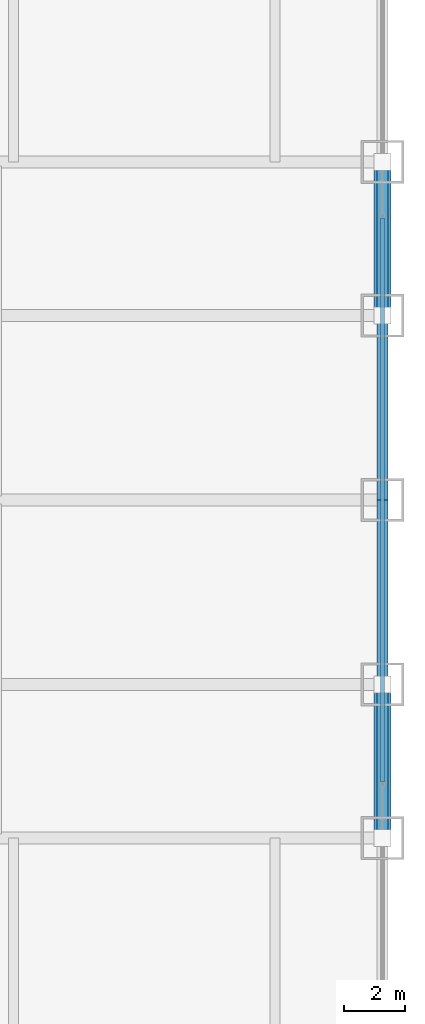
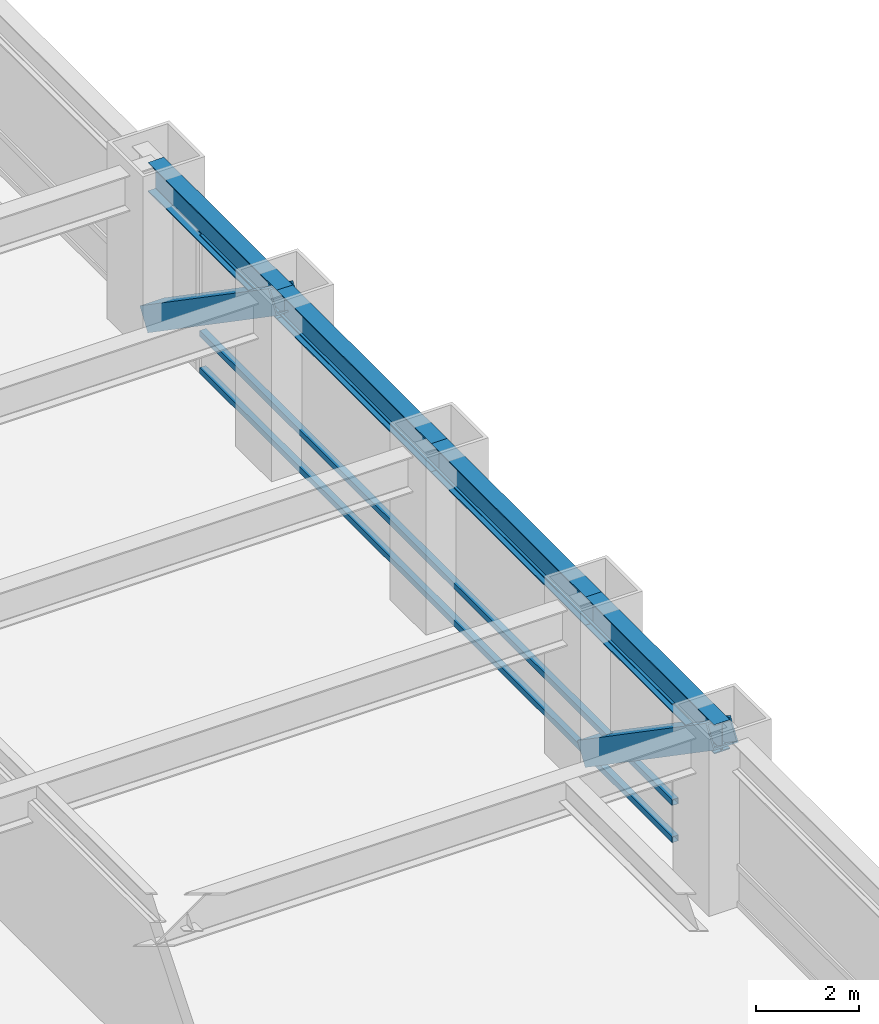
# One storey, part 17 of 27: 5 members, 4 beams, 1 element without a shape of its own.
"""IFC4 building model written with IfcOpenShell, lengths in metres."""

from ifc_helpers import new_model, si_unit, direction, frame, origin, origin_2d, place, context, subcontext, project, spatial, hollow_rectangle, i_section, extrude, source, transform, mapped, material, material_profile, profile_set, type_object, element, aggregate, save


model = new_model("IFC4")

# Units and contexts
model_context = context("Model", 3, precision=1e-05, world=origin(), true_north=direction((0.0, 1.0)))
body_context = subcontext(model_context, "Body", "Model", "MODEL_VIEW")
ifc_project = project(units=[si_unit("LENGTHUNIT", "METRE"), si_unit("AREAUNIT", "SQUARE_METRE"), si_unit("VOLUMEUNIT", "CUBIC_METRE"), si_unit("PLANEANGLEUNIT", "RADIAN"), si_unit("MASSUNIT", "GRAM", prefix="KILO")], contexts=[model_context])

# Site, building, storey
site_placement = place(None, origin())
site = spatial("IfcSite", under=ifc_project, at=site_placement, CompositionType="ELEMENT")
building_placement = place(site_placement, origin())
building = spatial("IfcBuilding", under=site, at=building_placement, Name="Khorayat Bourse Tower", CompositionType="ELEMENT")
storey_placement = place(building_placement, frame((0.0, 0.0, 53.60009765625)))
storey = spatial("IfcBuildingStorey", under=building, at=storey_placement, Name="L11", CompositionType="ELEMENT", Elevation=53.60009765625)

# Beams
ifc_material_1 = material(Name="Steel ASTM A992 Grade 50", Category="steel")
ifc_material_profile_1 = material_profile(ifc_material_1, i_section(OverallWidth=0.35498046875, OverallDepth=0.695068359375, WebThickness=0.015380859375, FlangeThickness=0.02490234375, FilletRadius=0.01806640625, at=origin_2d()), Name="W690X217")
ifc_profile_set_1 = profile_set([ifc_material_profile_1], Name="Steel ASTM A992 Grade 50")
beam_type = type_object("IfcBeamType", Name="BM-SPAN-690", PredefinedType="SPANDREL", material=ifc_profile_set_1)
shared_shape_1 = source(origin(), body_context, "Body", "SweptSolid", [
    extrude(i_section(OverallWidth=0.35498046875, OverallDepth=0.695068359375, WebThickness=0.015380859375, FlangeThickness=0.02490234375, FilletRadius=0.01806640625, at=origin_2d()), origin(), (0.0, 0.0, 1.0), 5.0),
])
for number, where, z_axis, x_axis, name in (
    (1, (32.0, -11.0, 3.59228515625), (0.0, 1.0, 0.0), (-1.0, 0.0, 0.0), "L11 BM-SPAN-690 BM-L11-SPN-036"),
    (2, (32.0, 6.0, 3.59228515625), (0.0, 1.0, 0.0), (-1.0, 0.0, 0.0), "L11 BM-SPAN-690 BM-L11-SPN-039"),
):
    element("IfcBeam", number, at=place(storey_placement, frame(where, z_axis=z_axis, x_axis=x_axis)), inside=storey, type_object=beam_type, Name=name, PredefinedType="SPANDREL", context=body_context, shape_type="MappedRepresentation", body=[
        mapped(shared_shape_1, transform((0.0, 0.0, 0.0), scale=1.0)),
    ])
shared_shape_2 = source(origin(), body_context, "Body", "SweptSolid", [
    extrude(i_section(OverallWidth=0.35498046875, OverallDepth=0.695068359375, WebThickness=0.015380859375, FlangeThickness=0.02490234375, FilletRadius=0.01806640625, at=origin_2d()), origin(), (0.0, 0.0, 1.0), 6.0),
])
for number, where, z_axis, x_axis, name in (
    (3, (32.0, -6.0, 3.59228515625), (0.0, 1.0, 0.0), (-1.0, 0.0, 0.0), "L11 BM-SPAN-690 BM-L11-SPN-037"),
    (4, (32.0, 0.0, 3.59228515625), (0.0, 1.0, 0.0), (-1.0, 0.0, 0.0), "L11 BM-SPAN-690 BM-L11-SPN-038"),
):
    element("IfcBeam", number, at=place(storey_placement, frame(where, z_axis=z_axis, x_axis=x_axis)), inside=storey, type_object=beam_type, Name=name, PredefinedType="SPANDREL", context=body_context, shape_type="MappedRepresentation", body=[
        mapped(shared_shape_2, transform((0.0, 0.0, 0.0), scale=1.0)),
    ])

# Members
ifc_material_2 = material(Name="Steel EN 10025-4 S460M", Category="steel")
ifc_material_profile_2 = material_profile(ifc_material_2, hollow_rectangle(XDim=0.550048828125, YDim=0.550048828125, WallThickness=0.031982421875, at=origin_2d()), Name="HSS 550x550x32")
ifc_profile_set_2 = profile_set([ifc_material_profile_2], Name="Steel EN 10025-4 S460M")
member_type_1 = type_object("IfcMemberType", Name="MBR-TUBE-550", PredefinedType="BRACE", material=ifc_profile_set_2)
shared_shape_3 = source(origin(), body_context, "Body", "SweptSolid", [
    extrude(hollow_rectangle(XDim=0.550048828125, YDim=0.550048828125, WallThickness=0.031982421875, at=origin_2d()), origin(), (0.0, 0.0, 1.0), 6.069091796875),
])
for number, where, z_axis, x_axis, name in (
    (5, (32.0, -11.0, 3.68994140625), (0.0, 0.823854080622, -0.566801952928), (-1.0, 0.0, 0.0), "L11 Perimeter Tube Brace 07"),
    (6, (32.0, 6.0, 3.68994140625), (0.0, 0.823854080622, -0.566801952928), (-1.0, 0.0, 0.0), "L11 Perimeter Tube Brace 08"),
):
    element("IfcMember", number, at=place(storey_placement, frame(where, z_axis=z_axis, x_axis=x_axis)), inside=storey, type_object=member_type_1, Name=name, PredefinedType="BRACE", context=body_context, shape_type="MappedRepresentation", body=[
        mapped(shared_shape_3, transform((0.0, 0.0, 0.0), scale=1.0)),
    ])

# Curtain wall, members
ifc_material_3 = material(Name="Aluminium EN AW-6063 T6", Category="aluminium")
curtain_wall_type = type_object("IfcCurtainWallType", Name="CW-SYS-02", PredefinedType="NOTDEFINED", material=ifc_material_3)
curtain_wall_placement = place(storey_placement, origin())
curtain_wall = element("IfcCurtainWall", 7, at=curtain_wall_placement, inside=storey, type_object=curtain_wall_type, Name="L11 Curtain Wall CW-L11-E1", PredefinedType="NOTDEFINED")
ifc_material_profile_3 = material_profile(ifc_material_3, hollow_rectangle(XDim=0.139892578125, YDim=0.139892578125, WallThickness=0.006103515625, at=origin_2d()), Name="ALU 140x140x6")
ifc_profile_set_3 = profile_set([ifc_material_profile_3], Name="Aluminium EN AW-6063 T6")
member_type_2 = type_object("IfcMemberType", Name="CWT-HORZ-140", PredefinedType="USERDEFINED", material=ifc_profile_set_3)
shared_shape_4 = source(origin(), body_context, "Body", "SweptSolid", [
    extrude(hollow_rectangle(XDim=0.139892578125, YDim=0.139892578125, WallThickness=0.006103515625, at=origin_2d()), origin(), (0.0, 0.0, 1.0), 18.35986328125),
])
member_1_placement = place(storey_placement, frame((32.0, -9.179931640625, 0.06982421875), z_axis=(0.0, 1.0, 0.0), x_axis=(-1.0, 0.0, 0.0)))
member_1 = element("IfcMember", 8, at=member_1_placement, type_object=member_type_2, Name="CW-L11-E1 Horizontal Transom 2-1", ObjectType="TRANSOM", PredefinedType="USERDEFINED", context=body_context, shape_type="MappedRepresentation", body=[
    mapped(shared_shape_4, transform((0.0, 0.0, 0.0), scale=1.0)),
])
member_2_placement = place(storey_placement, frame((32.0, -9.179931640625, 0.949951171875), z_axis=(0.0, 1.0, 0.0), x_axis=(-1.0, 0.0, 0.0)))
member_2 = element("IfcMember", 9, at=member_2_placement, type_object=member_type_2, Name="CW-L11-E1 Horizontal Transom 2-2", ObjectType="TRANSOM", PredefinedType="USERDEFINED", context=body_context, shape_type="MappedRepresentation", body=[
    mapped(shared_shape_4, transform((0.0, 0.0, 0.0), scale=1.0)),
])
member_3_placement = place(storey_placement, frame((32.0, -9.179931640625, 3.219970703125), z_axis=(0.0, 1.0, 0.0), x_axis=(-1.0, 0.0, 0.0)))
member_3 = element("IfcMember", 10, at=member_3_placement, type_object=member_type_2, Name="CW-L11-E1 Horizontal Transom 2-3", ObjectType="TRANSOM", PredefinedType="USERDEFINED", context=body_context, shape_type="MappedRepresentation", body=[
    mapped(shared_shape_4, transform((0.0, 0.0, 0.0), scale=1.0)),
])
aggregate(curtain_wall, [member_1, member_2, member_3])

save(model, "model.ifc")
